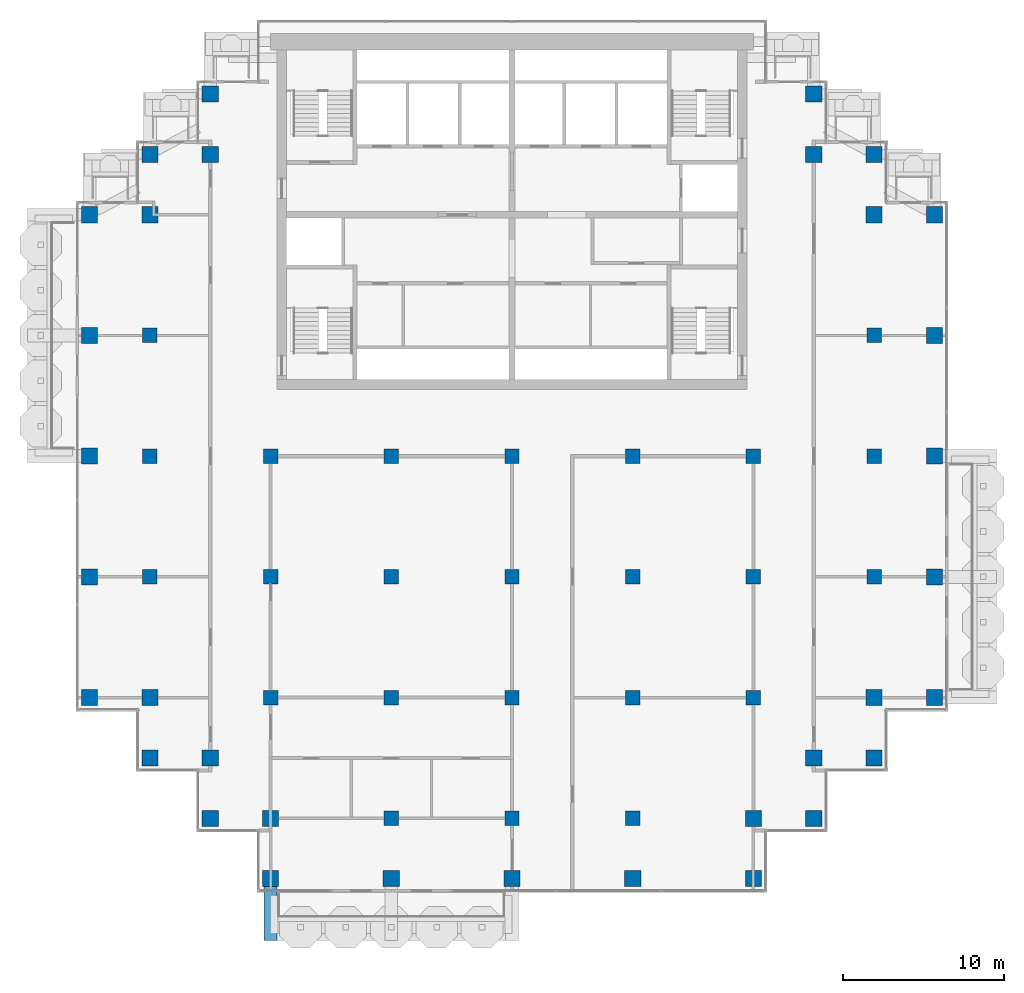
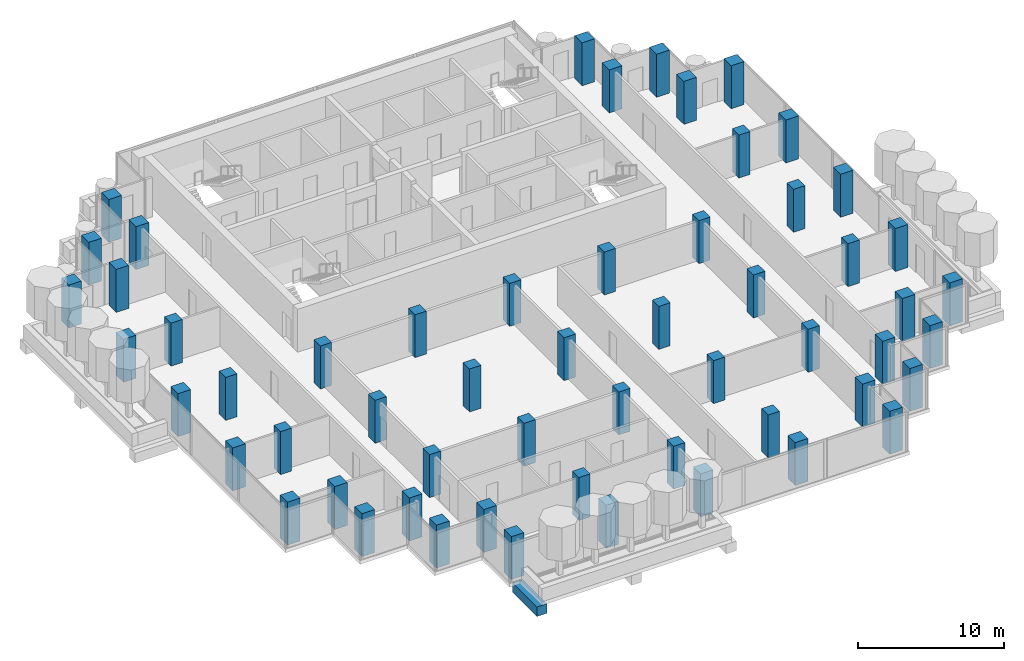
# One storey, part 1 of 17: 57 columns, 1 beam.
"""IFC4 building model written with IfcOpenShell, lengths in metres."""

from ifc_helpers import new_model, si_unit, direction, frame, origin, origin_2d, place, context, subcontext, project, spatial, rectangle, extrude, material, material_profile, profile_set, type_object, element, save


model = new_model("IFC4")

# Units and contexts
model_context = context("Model", 3, precision=1e-05, world=origin(), true_north=direction((0.0, 1.0)))
body_context = subcontext(model_context, "Body", "Model", "MODEL_VIEW")
ifc_project = project(units=[si_unit("LENGTHUNIT", "METRE"), si_unit("AREAUNIT", "SQUARE_METRE"), si_unit("VOLUMEUNIT", "CUBIC_METRE"), si_unit("PLANEANGLEUNIT", "RADIAN"), si_unit("MASSUNIT", "GRAM", prefix="KILO")], contexts=[model_context])

# Site, building, storey
site_placement = place(None, origin())
site = spatial("IfcSite", under=ifc_project, at=site_placement, CompositionType="ELEMENT")
building_placement = place(site_placement, origin())
building = spatial("IfcBuilding", under=site, at=building_placement, Name="Pilkhan Gate Tower", CompositionType="ELEMENT")
storey_placement = place(building_placement, frame((0.0, 0.0, 206.699951171875)))
storey = spatial("IfcBuildingStorey", under=building, at=storey_placement, Name="L53", CompositionType="ELEMENT", Elevation=206.699951171875)

# Columns
ifc_material = material(Name="Concrete C50/60", Category="concrete")
ifc_material_profile_1 = material_profile(ifc_material, rectangle(XDim=1.0, YDim=1.0, at=origin_2d()), Name="RC 1000x1000")
ifc_profile_set_1 = profile_set([ifc_material_profile_1], Name="Concrete C50/60")
column_type_1 = type_object("IfcColumnType", Name="Column C100 RC 1000x1000 C50/60", PredefinedType="COLUMN", material=ifc_profile_set_1)
for number, where, z_axis, x_axis, name in (
    (1, (48.75, 52.5, 0.0), (0.0, 0.0, 1.0), (1.0, 0.0, 0.0), "Column 4/D L53"),
    (2, (48.75, 60.0, 0.0), (0.0, 0.0, 1.0), (1.0, 0.0, 0.0), "Column 4/F L53"),
    (3, (48.75, 67.5, 0.0), (0.0, 0.0, 1.0), (1.0, 0.0, 0.0), "Column 4/H L53"),
    (4, (48.75, 75.0, 0.0), (0.0, 0.0, 1.0), (1.0, 0.0, 0.0), "Column 4/K L53"),
    (5, (48.75, 82.5, 0.0), (0.0, 0.0, 1.0), (1.0, 0.0, 0.0), "Column 4/M L53"),
    (6, (52.5, 48.75, 0.0), (0.0, 0.0, 1.0), (1.0, 0.0, 0.0), "Column 5/C L53"),
    (7, (52.5, 52.5, 0.0), (0.0, 0.0, 1.0), (1.0, 0.0, 0.0), "Column 5/D L53"),
    (8, (52.5, 82.5, 0.0), (0.0, 0.0, 1.0), (1.0, 0.0, 0.0), "Column 5/M L53"),
    (9, (52.5, 86.25, 0.0), (0.0, 0.0, 1.0), (1.0, 0.0, 0.0), "Column 5/N L53"),
    (10, (56.25, 45.0, 0.0), (0.0, 0.0, 1.0), (1.0, 0.0, 0.0), "Column 6/B L53"),
    (11, (56.25, 48.75, 0.0), (0.0, 0.0, 1.0), (1.0, 0.0, 0.0), "Column 6/C L53"),
    (12, (56.25, 86.25, 0.0), (0.0, 0.0, 1.0), (1.0, 0.0, 0.0), "Column 6/N L53"),
    (13, (56.25, 90.0, 0.0), (0.0, 0.0, 1.0), (1.0, 0.0, 0.0), "Column 6/P L53"),
    (14, (60.0, 41.25, 0.0), (0.0, 0.0, 1.0), (1.0, 0.0, 0.0), "Column 7/A L53"),
    (15, (60.0, 45.0, 0.0), (0.0, 0.0, 1.0), (1.0, 0.0, 0.0), "Column 7/B L53"),
    (16, (67.5, 41.25, 0.0), (0.0, 0.0, 1.0), (1.0, 0.0, 0.0), "Column 9/A L53"),
    (17, (75.0, 41.25, 0.0), (0.0, 0.0, 1.0), (1.0, 0.0, 0.0), "Column 11/A L53"),
    (18, (82.5, 41.25, 0.0), (0.0, 0.0, 1.0), (1.0, 0.0, 0.0), "Column 13/A L53"),
    (19, (90.0, 41.25, 0.0), (0.0, 0.0, 1.0), (1.0, 0.0, 0.0), "Column 15/A L53"),
    (20, (90.0, 45.0, 0.0), (0.0, 0.0, 1.0), (1.0, 0.0, 0.0), "Column 15/B L53"),
    (21, (93.75, 45.0, 0.0), (0.0, 0.0, 1.0), (1.0, 0.0, 0.0), "Column 16/B L53"),
    (22, (93.75, 48.75, 0.0), (0.0, 0.0, 1.0), (1.0, 0.0, 0.0), "Column 16/C L53"),
    (23, (93.75, 86.25, 0.0), (0.0, 0.0, 1.0), (1.0, 0.0, 0.0), "Column 16/N L53"),
    (24, (93.75, 90.0, 0.0), (0.0, 0.0, 1.0), (1.0, 0.0, 0.0), "Column 16/P L53"),
    (25, (97.5, 48.75, 0.0), (0.0, 0.0, 1.0), (1.0, 0.0, 0.0), "Column 17/C L53"),
    (26, (97.5, 52.5, 0.0), (0.0, 0.0, 1.0), (1.0, 0.0, 0.0), "Column 17/D L53"),
    (27, (97.5, 82.5, 0.0), (0.0, 0.0, 1.0), (1.0, 0.0, 0.0), "Column 17/M L53"),
    (28, (97.5, 86.25, 0.0), (0.0, 0.0, 1.0), (1.0, 0.0, 0.0), "Column 17/N L53"),
    (29, (101.25, 52.5, 0.0), (0.0, 0.0, 1.0), (1.0, 0.0, 0.0), "Column 18/D L53"),
    (30, (101.25, 60.0, 0.0), (0.0, 0.0, 1.0), (1.0, 0.0, 0.0), "Column 18/F L53"),
    (31, (101.25, 67.5, 0.0), (0.0, 0.0, 1.0), (1.0, 0.0, 0.0), "Column 18/H L53"),
    (32, (101.25, 75.0, 0.0), (0.0, 0.0, 1.0), (1.0, 0.0, 0.0), "Column 18/K L53"),
    (33, (101.25, 82.5, 0.0), (0.0, 0.0, 1.0), (1.0, 0.0, 0.0), "Column 18/M L53"),
):
    element("IfcColumn", number, at=place(storey_placement, frame(where, z_axis=z_axis, x_axis=x_axis)), inside=storey, type_object=column_type_1, Name=name, PredefinedType="COLUMN", context=body_context, shape_type="SweptSolid", body=[
        extrude(rectangle(XDim=1.0, YDim=1.0, at=origin_2d()), origin(), (0.0, 0.0, 1.0), 3.60009765625),
    ])
ifc_material_profile_2 = material_profile(ifc_material, rectangle(XDim=0.89990234375, YDim=0.89990234375, at=origin_2d()), Name="RC 900x900")
ifc_profile_set_2 = profile_set([ifc_material_profile_2], Name="Concrete C50/60")
column_type_2 = type_object("IfcColumnType", Name="Column C90 RC 900x900 C50/60", PredefinedType="COLUMN", material=ifc_profile_set_2)
for number, where, z_axis, x_axis, name in (
    (34, (52.5, 60.0, 0.0), (0.0, 0.0, 1.0), (1.0, 0.0, 0.0), "Column 5/F L53"),
    (35, (52.5, 67.5, 0.0), (0.0, 0.0, 1.0), (1.0, 0.0, 0.0), "Column 5/H L53"),
    (36, (52.5, 75.0, 0.0), (0.0, 0.0, 1.0), (1.0, 0.0, 0.0), "Column 5/K L53"),
    (37, (60.0, 52.5, 0.0), (0.0, 0.0, 1.0), (1.0, 0.0, 0.0), "Column 7/D L53"),
    (38, (60.0, 60.0, 0.0), (0.0, 0.0, 1.0), (1.0, 0.0, 0.0), "Column 7/F L53"),
    (39, (60.0, 67.5, 0.0), (0.0, 0.0, 1.0), (1.0, 0.0, 0.0), "Column 7/H L53"),
    (40, (67.5, 45.0, 0.0), (0.0, 0.0, 1.0), (1.0, 0.0, 0.0), "Column 9/B L53"),
    (41, (67.5, 52.5, 0.0), (0.0, 0.0, 1.0), (1.0, 0.0, 0.0), "Column 9/D L53"),
    (42, (67.5, 60.0, 0.0), (0.0, 0.0, 1.0), (1.0, 0.0, 0.0), "Column 9/F L53"),
    (43, (67.5, 67.5, 0.0), (0.0, 0.0, 1.0), (1.0, 0.0, 0.0), "Column 9/H L53"),
    (44, (75.0, 45.0, 0.0), (0.0, 0.0, 1.0), (1.0, 0.0, 0.0), "Column 11/B L53"),
    (45, (75.0, 52.5, 0.0), (0.0, 0.0, 1.0), (1.0, 0.0, 0.0), "Column 11/D L53"),
    (46, (75.0, 60.0, 0.0), (0.0, 0.0, 1.0), (1.0, 0.0, 0.0), "Column 11/F L53"),
    (47, (75.0, 67.5, 0.0), (0.0, 0.0, 1.0), (1.0, 0.0, 0.0), "Column 11/H L53"),
    (48, (82.5, 45.0, 0.0), (0.0, 0.0, 1.0), (1.0, 0.0, 0.0), "Column 13/B L53"),
    (49, (82.5, 52.5, 0.0), (0.0, 0.0, 1.0), (1.0, 0.0, 0.0), "Column 13/D L53"),
    (50, (82.5, 60.0, 0.0), (0.0, 0.0, 1.0), (1.0, 0.0, 0.0), "Column 13/F L53"),
    (51, (82.5, 67.5, 0.0), (0.0, 0.0, 1.0), (1.0, 0.0, 0.0), "Column 13/H L53"),
    (52, (90.0, 52.5, 0.0), (0.0, 0.0, 1.0), (1.0, 0.0, 0.0), "Column 15/D L53"),
    (53, (90.0, 60.0, 0.0), (0.0, 0.0, 1.0), (1.0, 0.0, 0.0), "Column 15/F L53"),
    (54, (90.0, 67.5, 0.0), (0.0, 0.0, 1.0), (1.0, 0.0, 0.0), "Column 15/H L53"),
    (55, (97.5, 60.0, 0.0), (0.0, 0.0, 1.0), (1.0, 0.0, 0.0), "Column 17/F L53"),
    (56, (97.5, 67.5, 0.0), (0.0, 0.0, 1.0), (1.0, 0.0, 0.0), "Column 17/H L53"),
    (57, (97.5, 75.0, 0.0), (0.0, 0.0, 1.0), (1.0, 0.0, 0.0), "Column 17/K L53"),
):
    element("IfcColumn", number, at=place(storey_placement, frame(where, z_axis=z_axis, x_axis=x_axis)), inside=storey, type_object=column_type_2, Name=name, PredefinedType="COLUMN", context=body_context, shape_type="SweptSolid", body=[
        extrude(rectangle(XDim=0.89990234375, YDim=0.89990234375, at=origin_2d()), origin(), (0.0, 0.0, 1.0), 3.60009765625),
    ])

# Beam
ifc_material_profile_3 = material_profile(ifc_material, rectangle(XDim=0.800048828125, YDim=0.800048828125, at=origin_2d()), Name="RC 800x800")
ifc_profile_set_3 = profile_set([ifc_material_profile_3], Name="Concrete C50/60")
beam_type = type_object("IfcBeamType", Name="Cantilever beam CB2 RC 800x800 C50/60", PredefinedType="BEAM", material=ifc_profile_set_3)
beam_placement = place(storey_placement, frame((60.0, 40.75, -0.699951171875), z_axis=(0.0, -1.0, 0.0), x_axis=(1.0, 0.0, 0.0)))
element("IfcBeam", 58, at=beam_placement, inside=storey, type_object=beam_type, Name="Balcony beam S.1 L53", PredefinedType="BEAM", context=body_context, shape_type="SweptSolid", body=[
    extrude(rectangle(XDim=0.800048828125, YDim=0.800048828125, at=origin_2d()), origin(), (0.0, 0.0, 1.0), 3.35009765625),
])

save(model, "model.ifc")
